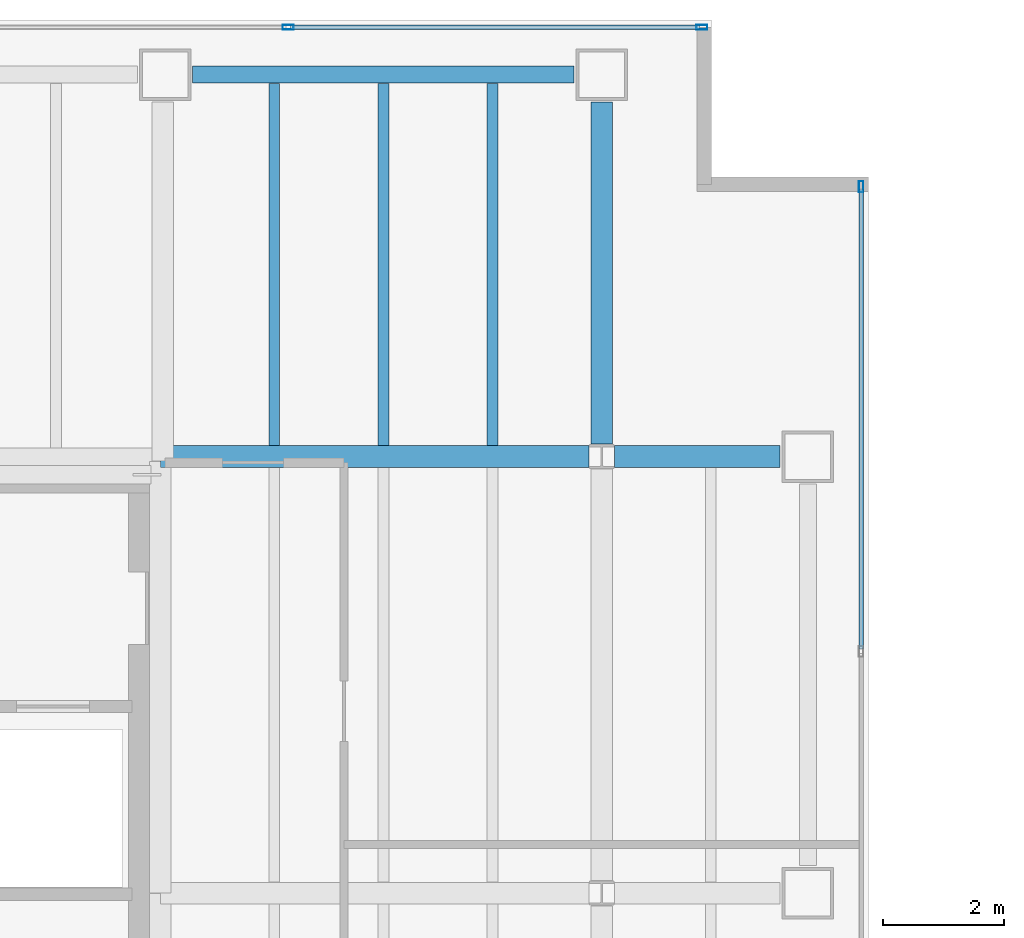
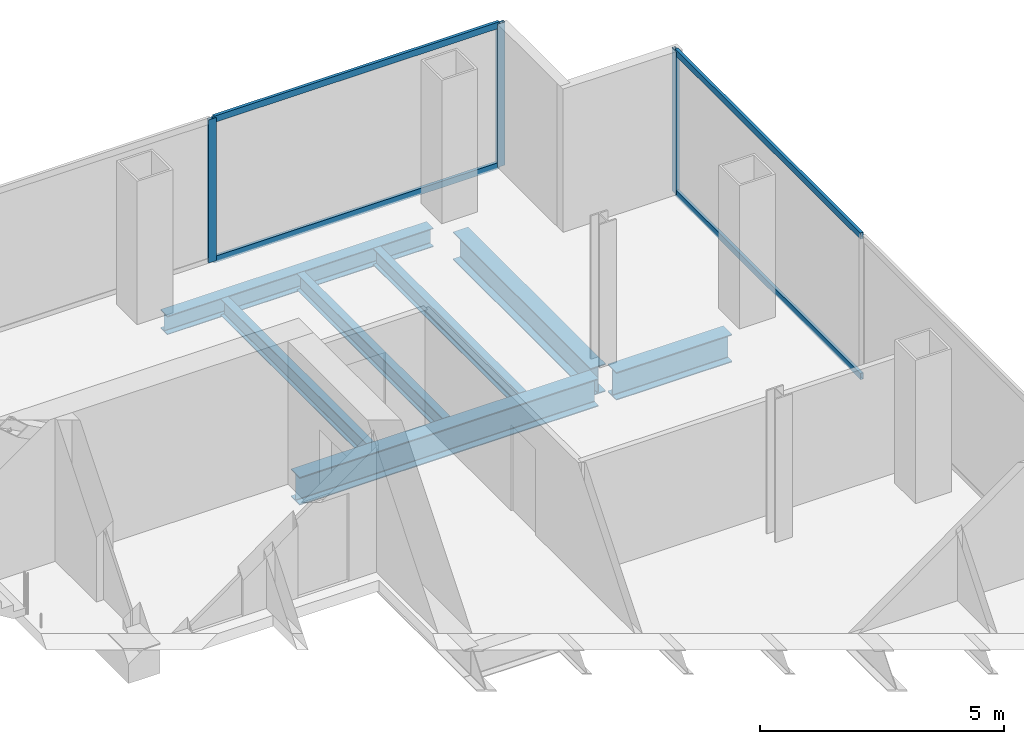
# One storey, part 18 of 23: 7 beams, 7 members, 2 elements without a shape of their own.
"""IFC4 building model written with IfcOpenShell, lengths in metres."""

from ifc_helpers import new_model, si_unit, direction, frame, origin, origin_2d, place, context, subcontext, project, spatial, hollow_rectangle, i_section, extrude, material, material_profile, profile_set, type_object, element, aggregate, save


model = new_model("IFC4")

# Units and contexts
model_context = context("Model", 3, precision=1e-05, world=origin(), true_north=direction((0.0, 1.0)))
body_context = subcontext(model_context, "Body", "Model", "MODEL_VIEW")
ifc_project = project(units=[si_unit("LENGTHUNIT", "METRE"), si_unit("AREAUNIT", "SQUARE_METRE"), si_unit("VOLUMEUNIT", "CUBIC_METRE"), si_unit("PLANEANGLEUNIT", "RADIAN"), si_unit("MASSUNIT", "GRAM", prefix="KILO")], contexts=[model_context])

# Site, building, storey
site_placement = place(None, origin())
site = spatial("IfcSite", under=ifc_project, at=site_placement, CompositionType="ELEMENT")
building_placement = place(site_placement, origin())
building = spatial("IfcBuilding", under=site, at=building_placement, Name="Cobrela Telecom Tower", CompositionType="ELEMENT")
storey_placement = place(building_placement, frame((0.0, 0.0, 148.39990234375)))
storey = spatial("IfcBuildingStorey", under=building, at=storey_placement, Name="L37", CompositionType="ELEMENT", Elevation=148.39990234375)

# Beams
ifc_material_1 = material(Name="Steel ASTM A992 Grade 50", Category="steel")
ifc_material_profile_1 = material_profile(ifc_material_1, i_section(OverallWidth=0.35595703125, OverallDepth=0.696044921875, WebThickness=0.015380859375, FlangeThickness=0.024658203125, FilletRadius=0.01806640625, at=origin_2d()), Name="W27X146")
ifc_profile_set_1 = profile_set([ifc_material_profile_1], Name="Steel ASTM A992 Grade 50")
beam_type_1 = type_object("IfcBeamType", Name="BM-GIRD-05", PredefinedType="USERDEFINED", material=ifc_profile_set_1)
beam_1_placement = place(storey_placement, frame((14.324951171875, 36.0, -0.617919921875), z_axis=(1.0, 0.0, 0.0), x_axis=(0.0, 1.0, 0.0)))
element("IfcBeam", 1, at=beam_1_placement, inside=storey, type_object=beam_type_1, Name="L37 Primary Girder X27", ObjectType="GIRDER", PredefinedType="USERDEFINED", context=body_context, shape_type="SweptSolid", body=[
    extrude(i_section(OverallWidth=0.35595703125, OverallDepth=0.696044921875, WebThickness=0.015380859375, FlangeThickness=0.024658203125, FilletRadius=0.01806640625, at=origin_2d()), origin(), (0.0, 0.0, 1.0), 7.0654296875),
])
beam_2_placement = place(storey_placement, frame((21.8095703125, 36.0, -0.617919921875), z_axis=(1.0, 0.0, 0.0), x_axis=(0.0, 1.0, 0.0)))
element("IfcBeam", 2, at=beam_2_placement, inside=storey, type_object=beam_type_1, Name="L37 Primary Girder X28", ObjectType="GIRDER", PredefinedType="USERDEFINED", context=body_context, shape_type="SweptSolid", body=[
    extrude(i_section(OverallWidth=0.35595703125, OverallDepth=0.696044921875, WebThickness=0.015380859375, FlangeThickness=0.024658203125, FilletRadius=0.01806640625, at=origin_2d()), origin(), (0.0, 0.0, 1.0), 2.7353515625),
])
beam_3_placement = place(storey_placement, frame((21.60009765625, 36.20947265625, -0.617919921875), z_axis=(0.0, 1.0, 0.0), x_axis=(-1.0, 0.0, 0.0)))
element("IfcBeam", 3, at=beam_3_placement, inside=storey, type_object=beam_type_1, Name="L37 Primary Girder Y44", ObjectType="GIRDER", PredefinedType="USERDEFINED", context=body_context, shape_type="SweptSolid", body=[
    extrude(i_section(OverallWidth=0.35595703125, OverallDepth=0.696044921875, WebThickness=0.015380859375, FlangeThickness=0.024658203125, FilletRadius=0.01806640625, at=origin_2d()), origin(), (0.0, 0.0, 1.0), 5.635498046875),
])
ifc_material_profile_2 = material_profile(ifc_material_1, i_section(OverallWidth=0.179931640625, OverallDepth=0.4169921875, WebThickness=0.010986328125, FlangeThickness=0.01806640625, FilletRadius=0.011962890625, at=origin_2d()), Name="W16X57")
ifc_profile_set_2 = profile_set([ifc_material_profile_2], Name="Steel ASTM A992 Grade 50")
beam_type_2 = type_object("IfcBeamType", Name="BM-JOIST-04", PredefinedType="JOIST", material=ifc_profile_set_2)
for number, where, z_axis, x_axis, name in (
    (4, (16.199951171875, 36.18310546875, -0.478515625), (0.0, 1.0, 0.0), (-1.0, 0.0, 0.0), "L37 Secondary Composite Floor Beam J08"),
    (5, (18.0, 36.18310546875, -0.478515625), (0.0, 1.0, 0.0), (-1.0, 0.0, 0.0), "L37 Secondary Composite Floor Beam J13"),
    (6, (19.800048828125, 36.18310546875, -0.478515625), (0.0, 1.0, 0.0), (-1.0, 0.0, 0.0), "L37 Secondary Composite Floor Beam J18"),
):
    element("IfcBeam", number, at=place(storey_placement, frame(where, z_axis=z_axis, x_axis=x_axis)), inside=storey, type_object=beam_type_2, Name=name, PredefinedType="JOIST", context=body_context, shape_type="SweptSolid", body=[
        extrude(i_section(OverallWidth=0.179931640625, OverallDepth=0.4169921875, WebThickness=0.010986328125, FlangeThickness=0.01806640625, FilletRadius=0.011962890625, at=origin_2d()), origin(), (0.0, 0.0, 1.0), 5.970947265625),
    ])
ifc_material_profile_3 = material_profile(ifc_material_1, i_section(OverallWidth=0.281982421875, OverallDepth=0.467041015625, WebThickness=0.01220703125, FlangeThickness=0.01953125, FilletRadius=0.012939453125, at=origin_2d()), Name="W18X86")
ifc_profile_set_3 = profile_set([ifc_material_profile_3], Name="Steel ASTM A992 Grade 50")
beam_type_3 = type_object("IfcBeamType", Name="BM-SPAND-04", PredefinedType="SPANDREL", material=ifc_profile_set_3)
beam_4_placement = place(storey_placement, frame((14.85498046875, 42.300048828125, -0.50341796875), z_axis=(1.0, 0.0, 0.0), x_axis=(0.0, 1.0, 0.0)))
element("IfcBeam", 7, at=beam_4_placement, inside=storey, type_object=beam_type_3, Name="L37 Perimeter Spandrel X30", PredefinedType="SPANDREL", context=body_context, shape_type="SweptSolid", body=[
    extrude(i_section(OverallWidth=0.281982421875, OverallDepth=0.467041015625, WebThickness=0.01220703125, FlangeThickness=0.01953125, FilletRadius=0.012939453125, at=origin_2d()), origin(), (0.0, 0.0, 1.0), 6.2900390625),
])

# Curtain wall, members
ifc_material_2 = material(Name="Anodized Bronze Aluminium 6063-T6", Category="aluminium")
curtain_wall_type = type_object("IfcCurtainWallType", Name="CW-SYS-TEL", PredefinedType="USERDEFINED", material=ifc_material_2)
curtain_wall_1_placement = place(storey_placement, origin())
curtain_wall_1 = element("IfcCurtainWall", 8, at=curtain_wall_1_placement, inside=storey, type_object=curtain_wall_type, Name="L37 Unitised Bronze Curtain Wall 07", ObjectType="UNITISED CURTAIN WALL", PredefinedType="USERDEFINED")
ifc_material_profile_4 = material_profile(ifc_material_2, hollow_rectangle(XDim=0.074951171875, YDim=0.179931640625, WallThickness=0.00390625, at=origin_2d()), Name="ALU 75x180x4")
ifc_profile_set_4 = profile_set([ifc_material_profile_4], Name="Anodized Bronze Aluminium 6063-T6")
member_type_1 = type_object("IfcMemberType", Name="CW-SYS-TEL-MUL", PredefinedType="MULLION", material=ifc_profile_set_4)
member_1_placement = place(storey_placement, frame((16.429931640625, 43.080078125, 0.0), z_axis=(0.0, 0.0, 1.0), x_axis=(0.0, 1.0, 0.0)))
member_1 = element("IfcMember", 9, at=member_1_placement, type_object=member_type_1, Name="CW-TEL mullion 3", PredefinedType="MULLION", context=body_context, shape_type="SweptSolid", body=[
    extrude(hollow_rectangle(XDim=0.074951171875, YDim=0.179931640625, WallThickness=0.00390625, at=origin_2d()), origin(), (0.0, 0.0, 1.0), 3.580078125),
])
member_2_placement = place(storey_placement, frame((23.25244140625, 43.080078125, 0.0), z_axis=(0.0, 0.0, 1.0), x_axis=(0.0, 1.0, 0.0)))
member_2 = element("IfcMember", 10, at=member_2_placement, type_object=member_type_1, Name="CW-TEL mullion 4", PredefinedType="MULLION", context=body_context, shape_type="SweptSolid", body=[
    extrude(hollow_rectangle(XDim=0.074951171875, YDim=0.179931640625, WallThickness=0.00390625, at=origin_2d()), origin(), (0.0, 0.0, 1.0), 3.580078125),
])

# Curtain wall, member
curtain_wall_2_placement = place(storey_placement, origin())
curtain_wall_2 = element("IfcCurtainWall", 11, at=curtain_wall_2_placement, inside=storey, type_object=curtain_wall_type, Name="L37 Unitised Bronze Curtain Wall 10", ObjectType="UNITISED CURTAIN WALL", PredefinedType="USERDEFINED")
member_3_placement = place(storey_placement, frame((25.8798828125, 40.452392578125, 0.0), z_axis=(0.0, 0.0, 1.0), x_axis=(1.0, 0.0, 0.0)))
member_3 = element("IfcMember", 12, at=member_3_placement, type_object=member_type_1, Name="CW-TEL mullion 1", PredefinedType="MULLION", context=body_context, shape_type="SweptSolid", body=[
    extrude(hollow_rectangle(XDim=0.074951171875, YDim=0.179931640625, WallThickness=0.00390625, at=origin_2d()), origin(), (0.0, 0.0, 1.0), 3.580078125),
])

# Member
ifc_material_profile_5 = material_profile(ifc_material_2, hollow_rectangle(XDim=0.070068359375, YDim=0.159912109375, WallThickness=0.00390625, at=origin_2d()), Name="ALU 70x160x4")
ifc_profile_set_5 = profile_set([ifc_material_profile_5], Name="Anodized Bronze Aluminium 6063-T6")
member_type_2 = type_object("IfcMemberType", Name="CW-SYS-TEL-TRN", PredefinedType="USERDEFINED", material=ifc_profile_set_5)
member_4_placement = place(storey_placement, frame((16.467529296875, 43.080078125, 0.03515625), z_axis=(1.0, 0.0, 0.0), x_axis=(0.0, 1.0, 0.0)))
member_4 = element("IfcMember", 13, at=member_4_placement, type_object=member_type_2, Name="CW-TEL transom 3.1", ObjectType="TRANSOM", PredefinedType="USERDEFINED", context=body_context, shape_type="SweptSolid", body=[
    extrude(hollow_rectangle(XDim=0.070068359375, YDim=0.159912109375, WallThickness=0.00390625, at=origin_2d()), origin(), (0.0, 0.0, 1.0), 6.74755859375),
])

member_5_placement = place(storey_placement, frame((16.467529296875, 43.080078125, 3.545166015625), z_axis=(1.0, 0.0, 0.0), x_axis=(0.0, 1.0, 0.0)))
member_5 = element("IfcMember", 14, at=member_5_placement, type_object=member_type_2, Name="CW-TEL transom 3.2", ObjectType="TRANSOM", PredefinedType="USERDEFINED", context=body_context, shape_type="SweptSolid", body=[
    extrude(hollow_rectangle(XDim=0.070068359375, YDim=0.159912109375, WallThickness=0.00390625, at=origin_2d()), origin(), (0.0, 0.0, 1.0), 6.74755859375),
])

aggregate(curtain_wall_1, [member_1, member_2, member_4, member_5])

member_6_placement = place(storey_placement, frame((25.8798828125, 40.4150390625, 0.03515625), z_axis=(0.0, -1.0, 0.0), x_axis=(1.0, 0.0, 0.0)))
member_6 = element("IfcMember", 15, at=member_6_placement, type_object=member_type_2, Name="CW-TEL transom 1.1", ObjectType="TRANSOM", PredefinedType="USERDEFINED", context=body_context, shape_type="SweptSolid", body=[
    extrude(hollow_rectangle(XDim=0.070068359375, YDim=0.159912109375, WallThickness=0.00390625, at=origin_2d()), origin(), (0.0, 0.0, 1.0), 7.592529296875),
])

member_7_placement = place(storey_placement, frame((25.8798828125, 40.4150390625, 3.545166015625), z_axis=(0.0, -1.0, 0.0), x_axis=(1.0, 0.0, 0.0)))
member_7 = element("IfcMember", 16, at=member_7_placement, type_object=member_type_2, Name="CW-TEL transom 1.2", ObjectType="TRANSOM", PredefinedType="USERDEFINED", context=body_context, shape_type="SweptSolid", body=[
    extrude(hollow_rectangle(XDim=0.070068359375, YDim=0.159912109375, WallThickness=0.00390625, at=origin_2d()), origin(), (0.0, 0.0, 1.0), 7.592529296875),
])

aggregate(curtain_wall_2, [member_3, member_6, member_7])

save(model, "model.ifc")
